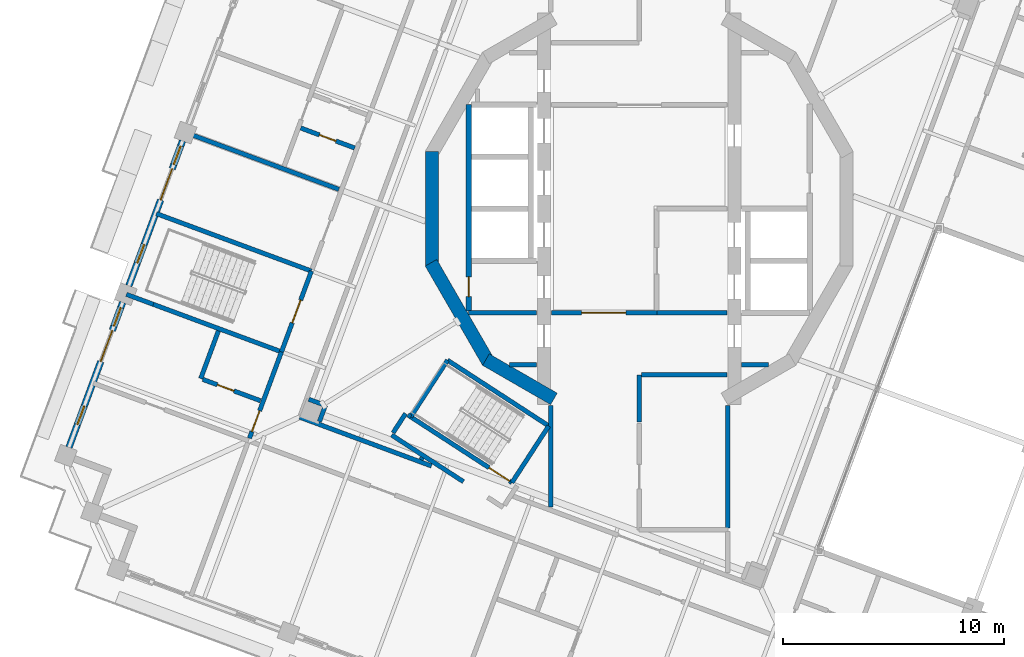
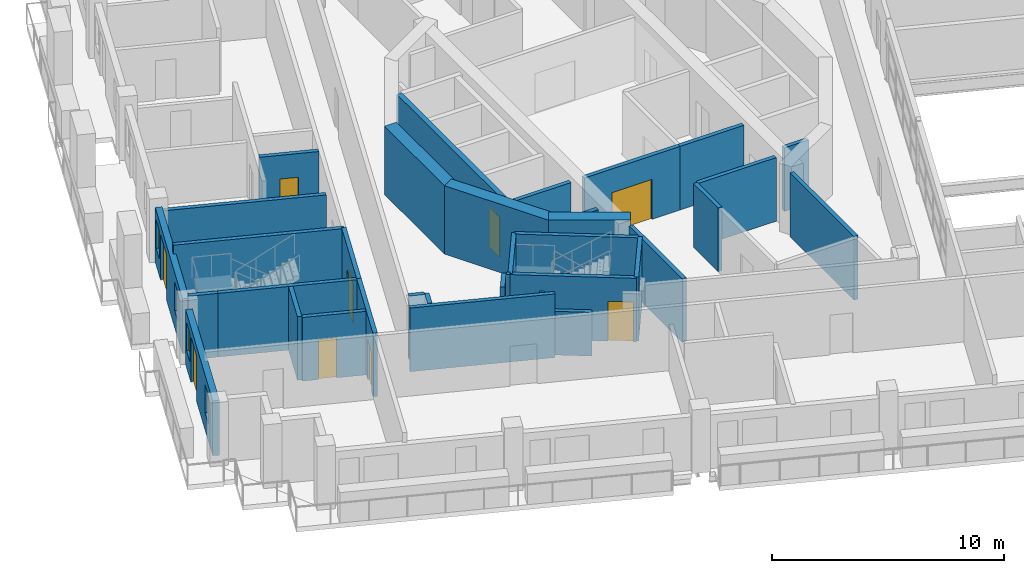
# One storey, part 6 of 19: 35 walls, 9 doors, 4 windows, 13 openings.
"""IFC4 building model written with IfcOpenShell, lengths in metres."""

from ifc_helpers import new_model, si_unit, direction, frame, frame_2d, origin, place, context, subcontext, project, spatial, rectangle, extrude, material, layer, layer_set, type_object, element, fill, save


model = new_model("IFC4")

# Units and contexts
model_context = context("Model", 3, precision=1e-05, world=origin(), true_north=direction((0.0, 1.0)))
body_context = subcontext(model_context, "Body", "Model", "MODEL_VIEW")
ifc_project = project(units=[si_unit("LENGTHUNIT", "METRE"), si_unit("AREAUNIT", "SQUARE_METRE"), si_unit("VOLUMEUNIT", "CUBIC_METRE"), si_unit("PLANEANGLEUNIT", "RADIAN"), si_unit("MASSUNIT", "GRAM", prefix="KILO")], contexts=[model_context])

# Site, building, storey
site_placement = place(None, origin())
site = spatial("IfcSite", under=ifc_project, at=site_placement, CompositionType="ELEMENT")
building_placement = place(site_placement, origin())
building = spatial("IfcBuilding", under=site, at=building_placement, Name="Cantera Rosa Tower", CompositionType="ELEMENT")
storey_placement = place(building_placement, frame((0.0, 0.0, 331.300048828125)))
storey = spatial("IfcBuildingStorey", under=building, at=storey_placement, Name="L74", CompositionType="ELEMENT", Elevation=331.300048828125)

# Wall
ifc_material_1 = material(Name="Gypsum board partition")
ifc_layer_1 = layer(ifc_material_1, 0.199951171875)
ifc_layer_set_1 = layer_set([ifc_layer_1], Name="CORRIDOR WALL 200 H2300")
wall_type_1 = type_object("IfcWallType", Name="CORRIDOR WALL 200 H2300", PredefinedType="PARTITIONING", material=ifc_layer_set_1)
wall_1_placement = place(storey_placement, frame((-11.177490234375, -10.216552734375, 0.0), z_axis=(0.0, 0.0, 1.0), x_axis=(0.83867589464, -0.544630832537, 0.0)))
element("IfcWall", 1, at=wall_1_placement, inside=storey, type_object=wall_type_1, Name="CORRIDOR WALL L74-022", PredefinedType="PARTITIONING", context=body_context, shape_type="SweptSolid", body=[
    extrude(rectangle(XDim=3.864990234375, YDim=0.199951171875, at=frame_2d((1.9326171875, 0.0))), origin(), (0.0, 0.0, 1.0), 2.300048828125),
])

# Wall, opening, door
ifc_material_2 = material(Name="Gypsum board partition")
ifc_layer_2 = layer(ifc_material_2, 0.199951171875)
ifc_layer_set_2 = layer_set([ifc_layer_2], Name="CORRIDOR WALL 200 H3350")
wall_type_2 = type_object("IfcWallType", Name="CORRIDOR WALL 200 H3350", PredefinedType="PARTITIONING", material=ifc_layer_set_2)
wall_2_placement = place(storey_placement, frame((-16.1513671875, -6.460205078125, 0.0), z_axis=(0.0, 0.0, 1.0), x_axis=(-0.34742903777, -0.937706277954, 0.0)))
wall_2 = element("IfcWall", 2, at=wall_2_placement, inside=storey, type_object=wall_type_2, Name="CORRIDOR WALL L74-010", PredefinedType="PARTITIONING", context=body_context, shape_type="SweptSolid", body=[
    extrude(rectangle(XDim=4.159912109375, YDim=0.199951171875, at=frame_2d((2.080078125, 0.0))), origin(), (0.0, 0.0, 1.0), 3.349853515625),
])
opening_1_placement = place(wall_2_placement, frame((2.840087890625, 0.0, 0.0)))
opening_1 = element("IfcOpeningElement", 3, at=opening_1_placement, cuts=wall_2, Name="Opening L74-038", PredefinedType="OPENING", context=body_context, shape_type="SweptSolid", body=[
    extrude(rectangle(XDim=1.0, YDim=2.10009765625, at=frame_2d((0.5, 1.050048828125))), frame((0.0, 0.10986328125, 0.0), z_axis=(0.0, -1.0, 0.0), x_axis=(1.0, 0.0, 0.0)), (0.0, 0.0, 1.0), 0.219970703125),
])
ifc_material_3 = material(Name="Timber door leaf", Category="wood")
door_type_1 = type_object("IfcDoorType", Name="ENTRANCE DOOR 1000x2100", OperationType="NOTDEFINED", PredefinedType="DOOR", material=ifc_material_3)
door_1_placement = place(opening_1_placement, origin())
door_1 = element("IfcDoor", 4, at=door_1_placement, inside=storey, type_object=door_type_1, Name="DOOR L74-038", OperationType="NOTDEFINED", OverallHeight=2.10009765625, OverallWidth=1.0, PredefinedType="DOOR", context=body_context, shape_type="SweptSolid", body=[
    extrude(rectangle(XDim=1.0, YDim=2.10009765625, at=frame_2d((0.5, 1.050048828125))), frame((0.0, 0.02490234375, 0.0), z_axis=(0.0, -1.0, 0.0), x_axis=(1.0, 0.0, 0.0)), (0.0, 0.0, 1.0), 0.050048828125),
])
fill(opening_1, door_1)

# Walls
wall_3_placement = place(storey_placement, frame((-15.3251953125, -9.4111328125, 0.0), z_axis=(0.0, 0.0, 1.0), x_axis=(0.937682798528, -0.347492401852, 0.0)))
element("IfcWall", 5, at=wall_3_placement, inside=storey, type_object=wall_type_2, Name="CORRIDOR WALL L74-013", PredefinedType="PARTITIONING", context=body_context, shape_type="SweptSolid", body=[
    extrude(rectangle(XDim=6.341552734375, YDim=0.199951171875, at=frame_2d((3.1708984375, 0.0))), origin(), (0.0, 0.0, 1.0), 3.349853515625),
])
wall_4_placement = place(storey_placement, frame((-10.546630859375, -9.2451171875, 0.0), z_axis=(0.0, 0.0, 1.0), x_axis=(-0.544732150362, -0.838610090782, 0.0)))
element("IfcWall", 6, at=wall_4_placement, inside=storey, type_object=wall_type_2, Name="CORRIDOR WALL L74-025", PredefinedType="PARTITIONING", context=body_context, shape_type="SweptSolid", body=[
    extrude(rectangle(XDim=1.038330078125, YDim=0.199951171875, at=frame_2d((0.51904296875, 0.0))), origin(), (0.0, 0.0, 1.0), 3.349853515625),
])
wall_5_placement = place(storey_placement, frame((-10.31591796875, -9.394775390625, 0.0), z_axis=(0.0, 0.0, 1.0), x_axis=(-0.838299581658, 0.545209878296, 0.0)))
element("IfcWall", 7, at=wall_5_placement, inside=storey, type_object=wall_type_2, Name="CORRIDOR WALL L74-026", PredefinedType="PARTITIONING", context=body_context, shape_type="SweptSolid", body=[
    extrude(rectangle(XDim=0.155029296875, YDim=0.199951171875, at=frame_2d((0.07763671875, 0.0))), origin(), (0.0, 0.0, 1.0), 3.349853515625),
])
wall_6_placement = place(storey_placement, frame((-4.0, -13.468017578125, 0.0), z_axis=(0.0, 0.0, 1.0), x_axis=(0.0, 1.0, 0.0)))
element("IfcWall", 8, at=wall_6_placement, inside=storey, type_object=wall_type_2, Name="CORRIDOR WALL L74-052", PredefinedType="PARTITIONING", context=body_context, shape_type="SweptSolid", body=[
    extrude(rectangle(XDim=4.589111328125, YDim=0.199951171875, at=frame_2d((2.29443359375, 0.0))), origin(), (0.0, 0.0, 1.0), 3.349853515625),
])
wall_7_placement = place(storey_placement, frame((0.0, -7.5, 0.0), z_axis=(0.0, 0.0, 1.0), x_axis=(0.0, -1.0, 0.0)))
element("IfcWall", 9, at=wall_7_placement, inside=storey, type_object=wall_type_2, Name="CORRIDOR WALL L74-064", PredefinedType="PARTITIONING", context=body_context, shape_type="SweptSolid", body=[
    extrude(rectangle(XDim=2.12939453125, YDim=0.199951171875, at=frame_2d((1.064697265625, 0.0))), origin(), (0.0, 0.0, 1.0), 3.349853515625),
])

# Wall, opening, door
wall_8_placement = place(storey_placement, frame((0.800048828125, -4.699951171875, 0.0), z_axis=(0.0, 0.0, 1.0), x_axis=(-1.0, 0.0, 0.0)))
wall_8 = element("IfcWall", 10, at=wall_8_placement, inside=storey, type_object=wall_type_2, Name="CORRIDOR WALL L74-069", PredefinedType="PARTITIONING", context=body_context, shape_type="SweptSolid", body=[
    extrude(rectangle(XDim=4.77001953125, YDim=0.199951171875, at=frame_2d((2.385009765625, 0.0))), origin(), (0.0, 0.0, 1.0), 3.349853515625),
])
opening_2_placement = place(wall_8_placement, frame((1.39990234375, 0.0, 0.0)))
opening_2 = element("IfcOpeningElement", 11, at=opening_2_placement, cuts=wall_8, Name="Opening L74-012", PredefinedType="OPENING", context=body_context, shape_type="SweptSolid", body=[
    extrude(rectangle(XDim=2.0, YDim=2.10009765625, at=frame_2d((1.0, 1.050048828125))), frame((0.0, 0.10986328125, 0.0), z_axis=(0.0, -1.0, 0.0), x_axis=(1.0, 0.0, 0.0)), (0.0, 0.0, 1.0), 0.219970703125),
])
ifc_material_4 = material(Name="Steel S355J2 (EN 10025-2)", Category="steel")
door_type_2 = type_object("IfcDoorType", Name="LOBBY SCREEN DOOR 2000x2100", OperationType="NOTDEFINED", PredefinedType="DOOR", material=ifc_material_4)
door_2_placement = place(opening_2_placement, origin())
door_2 = element("IfcDoor", 12, at=door_2_placement, inside=storey, type_object=door_type_2, Name="DOOR L74-012", OperationType="NOTDEFINED", OverallHeight=2.10009765625, OverallWidth=2.0, PredefinedType="DOOR", context=body_context, shape_type="SweptSolid", body=[
    extrude(rectangle(XDim=2.0, YDim=2.10009765625, at=frame_2d((1.0, 1.050048828125))), frame((0.0, 0.02490234375, 0.0), z_axis=(0.0, -1.0, 0.0), x_axis=(1.0, 0.0, 0.0)), (0.0, 0.0, 1.0), 0.050048828125),
])
fill(opening_2, door_2)

# Wall
wall_9_placement = place(storey_placement, frame((3.969970703125, -7.5, 0.0), z_axis=(0.0, 0.0, 1.0), x_axis=(-1.0, 0.0, 0.0)))
element("IfcWall", 13, at=wall_9_placement, inside=storey, type_object=wall_type_2, Name="CORRIDOR WALL L74-075", PredefinedType="PARTITIONING", context=body_context, shape_type="SweptSolid", body=[
    extrude(rectangle(XDim=3.869873046875, YDim=0.199951171875, at=frame_2d((1.93505859375, 0.0))), origin(), (0.0, 0.0, 1.0), 3.349853515625),
])

# Wall, openings, windows, door
ifc_material_5 = material(Name="Hollow clay masonry with cantera stone cladding", Category="masonry")
ifc_layer_3 = layer(ifc_material_5, 0.300048828125)
ifc_layer_set_3 = layer_set([ifc_layer_3], Name="EW-LOGGIA 300 H2890")
wall_type_3 = type_object("IfcWallType", Name="EW-LOGGIA 300 H2890", PredefinedType="SOLIDWALL", material=ifc_layer_set_3)
wall_10_placement = place(storey_placement, frame((-20.61962890625, 3.06591796875, 0.0), z_axis=(0.0, 0.0, 1.0), x_axis=(-0.347471562124, -0.937690521182, 0.0)))
wall_10 = element("IfcWall", 14, at=wall_10_placement, inside=storey, type_object=wall_type_3, Name="EN-L74-W10", PredefinedType="SOLIDWALL", context=body_context, shape_type="SweptSolid", body=[
    extrude(rectangle(XDim=6.979736328125, YDim=0.300048828125, at=frame_2d((3.48974609375, 0.0))), origin(), (0.0, 0.0, 1.0), 2.889892578125),
])
opening_3_placement = place(wall_10_placement, frame((0.2451171875, 0.0, 0.89990234375)))
opening_3 = element("IfcOpeningElement", 15, at=opening_3_placement, cuts=wall_10, Name="Opening L74-W22", PredefinedType="OPENING", context=body_context, shape_type="SweptSolid", body=[
    extrude(rectangle(XDim=0.89990234375, YDim=1.5, at=frame_2d((0.449951171875, 0.75))), frame((0.0, 0.159912109375, 0.0), z_axis=(0.0, -1.0, 0.0), x_axis=(1.0, 0.0, 0.0)), (0.0, 0.0, 1.0), 0.320068359375),
])
opening_4_placement = place(wall_10_placement, frame((1.344970703125, 0.0, 0.0)))
opening_4 = element("IfcOpeningElement", 16, at=opening_4_placement, cuts=wall_10, Name="Opening L74-TD23", PredefinedType="OPENING", context=body_context, shape_type="SweptSolid", body=[
    extrude(rectangle(XDim=1.5, YDim=2.39990234375, at=frame_2d((0.75, 1.199951171875))), frame((0.0, 0.159912109375, 0.0), z_axis=(0.0, -1.0, 0.0), x_axis=(1.0, 0.0, 0.0)), (0.0, 0.0, 1.0), 0.320068359375),
])
opening_5_placement = place(wall_10_placement, frame((4.985107421875, 0.0, 0.89990234375)))
opening_5 = element("IfcOpeningElement", 17, at=opening_5_placement, cuts=wall_10, Name="Opening L74-W24", PredefinedType="OPENING", context=body_context, shape_type="SweptSolid", body=[
    extrude(rectangle(XDim=0.89990234375, YDim=1.5, at=frame_2d((0.449951171875, 0.75))), frame((0.0, 0.159912109375, 0.0), z_axis=(0.0, -1.0, 0.0), x_axis=(1.0, 0.0, 0.0)), (0.0, 0.0, 1.0), 0.320068359375),
])
ifc_material_6 = material(Name="Aluminium frame with clear glass", Category="aluminium")
window_type = type_object("IfcWindowType", Name="Residential window 900x1500", PartitioningType="SINGLE_PANEL", PredefinedType="WINDOW", material=ifc_material_6)
window_1_placement = place(opening_3_placement, origin())
window_1 = element("IfcWindow", 18, at=window_1_placement, inside=storey, type_object=window_type, Name="WINDOW L74-W22", OverallHeight=1.5, OverallWidth=0.89990234375, PartitioningType="SINGLE_PANEL", PredefinedType="WINDOW", context=body_context, shape_type="SweptSolid", body=[
    extrude(rectangle(XDim=0.89990234375, YDim=1.5, at=frame_2d((0.449951171875, 0.75))), frame((0.0, 0.030029296875, 0.0), z_axis=(0.0, -1.0, 0.0), x_axis=(1.0, 0.0, 0.0)), (0.0, 0.0, 1.0), 0.06005859375),
])
fill(opening_3, window_1)
window_2_placement = place(opening_5_placement, origin())
window_2 = element("IfcWindow", 19, at=window_2_placement, inside=storey, type_object=window_type, Name="WINDOW L74-W24", OverallHeight=1.5, OverallWidth=0.89990234375, PartitioningType="SINGLE_PANEL", PredefinedType="WINDOW", context=body_context, shape_type="SweptSolid", body=[
    extrude(rectangle(XDim=0.89990234375, YDim=1.5, at=frame_2d((0.449951171875, 0.75))), frame((0.0, 0.030029296875, 0.0), z_axis=(0.0, -1.0, 0.0), x_axis=(1.0, 0.0, 0.0)), (0.0, 0.0, 1.0), 0.06005859375),
])
fill(opening_5, window_2)
ifc_material_7 = material(Name="Aluminium frame with clear glass", Category="aluminium")
door_type_3 = type_object("IfcDoorType", Name="TD-R 1500x2400", OperationType="NOTDEFINED", PredefinedType="DOOR", material=ifc_material_7)
door_3_placement = place(opening_4_placement, origin())
door_3 = element("IfcDoor", 20, at=door_3_placement, inside=storey, type_object=door_type_3, Name="LOGGIA DOOR L74-TD23", OperationType="SLIDING_TO_LEFT", OverallHeight=2.39990234375, OverallWidth=1.5, PredefinedType="DOOR", context=body_context, shape_type="SweptSolid", body=[
    extrude(rectangle(XDim=1.5, YDim=2.39990234375, at=frame_2d((0.75, 1.199951171875))), frame((0.0, 0.02490234375, 0.0), z_axis=(0.0, -1.0, 0.0), x_axis=(1.0, 0.0, 0.0)), (0.0, 0.0, 1.0), 0.050048828125),
])
fill(opening_4, door_3)

wall_11_placement = place(storey_placement, frame((-23.322998046875, -4.229248046875, 0.0), z_axis=(0.0, 0.0, 1.0), x_axis=(-0.347460165909, -0.937694744097, 0.0)))
wall_11 = element("IfcWall", 21, at=wall_11_placement, inside=storey, type_object=wall_type_3, Name="EN-L74-W11", PredefinedType="SOLIDWALL", context=body_context, shape_type="SweptSolid", body=[
    extrude(rectangle(XDim=6.97998046875, YDim=0.300048828125, at=frame_2d((3.489990234375, 0.0))), origin(), (0.0, 0.0, 1.0), 2.889892578125),
])
opening_6_placement = place(wall_11_placement, frame((0.2451171875, 0.0, 0.89990234375)))
opening_6 = element("IfcOpeningElement", 22, at=opening_6_placement, cuts=wall_11, Name="Opening L74-W25", PredefinedType="OPENING", context=body_context, shape_type="SweptSolid", body=[
    extrude(rectangle(XDim=0.89990234375, YDim=1.5, at=frame_2d((0.449951171875, 0.75))), frame((0.0, 0.159912109375, 0.0), z_axis=(0.0, -1.0, 0.0), x_axis=(1.0, 0.0, 0.0)), (0.0, 0.0, 1.0), 0.320068359375),
])
opening_7_placement = place(wall_11_placement, frame((1.344970703125, 0.0, 0.0)))
opening_7 = element("IfcOpeningElement", 23, at=opening_7_placement, cuts=wall_11, Name="Opening L74-TD26", PredefinedType="OPENING", context=body_context, shape_type="SweptSolid", body=[
    extrude(rectangle(XDim=1.5, YDim=2.39990234375, at=frame_2d((0.75, 1.199951171875))), frame((0.0, 0.159912109375, 0.0), z_axis=(0.0, -1.0, 0.0), x_axis=(1.0, 0.0, 0.0)), (0.0, 0.0, 1.0), 0.320068359375),
])
opening_8_placement = place(wall_11_placement, frame((4.985107421875, 0.0, 0.89990234375)))
opening_8 = element("IfcOpeningElement", 24, at=opening_8_placement, cuts=wall_11, Name="Opening L74-W27", PredefinedType="OPENING", context=body_context, shape_type="SweptSolid", body=[
    extrude(rectangle(XDim=0.89990234375, YDim=1.5, at=frame_2d((0.449951171875, 0.75))), frame((0.0, 0.159912109375, 0.0), z_axis=(0.0, -1.0, 0.0), x_axis=(1.0, 0.0, 0.0)), (0.0, 0.0, 1.0), 0.320068359375),
])
window_3_placement = place(opening_6_placement, origin())
window_3 = element("IfcWindow", 25, at=window_3_placement, inside=storey, type_object=window_type, Name="WINDOW L74-W25", OverallHeight=1.5, OverallWidth=0.89990234375, PartitioningType="SINGLE_PANEL", PredefinedType="WINDOW", context=body_context, shape_type="SweptSolid", body=[
    extrude(rectangle(XDim=0.89990234375, YDim=1.5, at=frame_2d((0.449951171875, 0.75))), frame((0.0, 0.030029296875, 0.0), z_axis=(0.0, -1.0, 0.0), x_axis=(1.0, 0.0, 0.0)), (0.0, 0.0, 1.0), 0.06005859375),
])
fill(opening_6, window_3)
window_4_placement = place(opening_8_placement, origin())
window_4 = element("IfcWindow", 26, at=window_4_placement, inside=storey, type_object=window_type, Name="WINDOW L74-W27", OverallHeight=1.5, OverallWidth=0.89990234375, PartitioningType="SINGLE_PANEL", PredefinedType="WINDOW", context=body_context, shape_type="SweptSolid", body=[
    extrude(rectangle(XDim=0.89990234375, YDim=1.5, at=frame_2d((0.449951171875, 0.75))), frame((0.0, 0.030029296875, 0.0), z_axis=(0.0, -1.0, 0.0), x_axis=(1.0, 0.0, 0.0)), (0.0, 0.0, 1.0), 0.06005859375),
])
fill(opening_8, window_4)
door_4_placement = place(opening_7_placement, origin())
door_4 = element("IfcDoor", 27, at=door_4_placement, inside=storey, type_object=door_type_3, Name="LOGGIA DOOR L74-TD26", OperationType="SLIDING_TO_LEFT", OverallHeight=2.39990234375, OverallWidth=1.5, PredefinedType="DOOR", context=body_context, shape_type="SweptSolid", body=[
    extrude(rectangle(XDim=1.5, YDim=2.39990234375, at=frame_2d((0.75, 1.199951171875))), frame((0.0, 0.02490234375, 0.0), z_axis=(0.0, -1.0, 0.0), x_axis=(1.0, 0.0, 0.0)), (0.0, 0.0, 1.0), 0.050048828125),
])
fill(opening_7, door_4)

# Wall
ifc_material_8 = material(Name="Gypsum board partition")
ifc_layer_4 = layer(ifc_material_8, 0.199951171875)
ifc_layer_set_4 = layer_set([ifc_layer_4], Name="PARTITION 200 H3350")
wall_type_4 = type_object("IfcWallType", Name="PARTITION 200 H3350", PredefinedType="PARTITIONING", material=ifc_layer_set_4)
wall_12_placement = place(storey_placement, frame((-19.79833984375, -7.668212890625, 0.0), z_axis=(0.0, 0.0, 1.0), x_axis=(0.347549446773, 0.937661656488, 0.0)))
element("IfcWall", 28, at=wall_12_placement, inside=storey, type_object=wall_type_4, Name="PARTITION L74-003", PredefinedType="PARTITIONING", context=body_context, shape_type="SweptSolid", body=[
    extrude(rectangle(XDim=2.2998046875, YDim=0.199951171875, at=frame_2d((1.14990234375, 0.0))), origin(), (0.0, 0.0, 1.0), 3.349853515625),
])

# Wall, opening, door
wall_13_placement = place(storey_placement, frame((-17.09765625, -8.6689453125, 0.0), z_axis=(0.0, 0.0, 1.0), x_axis=(-0.937714858081, 0.347405879244, 0.0)))
wall_13 = element("IfcWall", 29, at=wall_13_placement, inside=storey, type_object=wall_type_4, Name="PARTITION L74-008", PredefinedType="PARTITIONING", context=body_context, shape_type="SweptSolid", body=[
    extrude(rectangle(XDim=2.780029296875, YDim=0.199951171875, at=frame_2d((1.39013671875, 0.0))), origin(), (0.0, 0.0, 1.0), 3.349853515625),
])
opening_9_placement = place(wall_13_placement, frame((1.280029296875, 0.0, 0.0)))
opening_9 = element("IfcOpeningElement", 30, at=opening_9_placement, cuts=wall_13, Name="Opening L74-039", PredefinedType="OPENING", context=body_context, shape_type="SweptSolid", body=[
    extrude(rectangle(XDim=0.800048828125, YDim=2.10009765625, at=frame_2d((0.39990234375, 1.050048828125))), frame((0.0, 0.10986328125, 0.0), z_axis=(0.0, -1.0, 0.0), x_axis=(1.0, 0.0, 0.0)), (0.0, 0.0, 1.0), 0.219970703125),
])
ifc_material_9 = material(Name="Timber door leaf", Category="wood")
door_type_4 = type_object("IfcDoorType", Name="BATHROOM DOOR 800x2100", OperationType="NOTDEFINED", PredefinedType="DOOR", material=ifc_material_9)
door_5_placement = place(opening_9_placement, origin())
door_5 = element("IfcDoor", 31, at=door_5_placement, inside=storey, type_object=door_type_4, Name="DOOR L74-039", OperationType="NOTDEFINED", OverallHeight=2.10009765625, OverallWidth=0.800048828125, PredefinedType="DOOR", context=body_context, shape_type="SweptSolid", body=[
    extrude(rectangle(XDim=0.800048828125, YDim=2.10009765625, at=frame_2d((0.39990234375, 1.050048828125))), frame((0.0, 0.02490234375, 0.0), z_axis=(0.0, -1.0, 0.0), x_axis=(1.0, 0.0, 0.0)), (0.0, 0.0, 1.0), 0.050048828125),
])
fill(opening_9, door_5)

wall_14_placement = place(storey_placement, frame((-15.28466796875, 3.6484375, 0.0), z_axis=(0.0, 0.0, 1.0), x_axis=(0.937703444273, -0.347436685741, 0.0)))
wall_14 = element("IfcWall", 32, at=wall_14_placement, inside=storey, type_object=wall_type_4, Name="PARTITION L74-012", PredefinedType="PARTITIONING", context=body_context, shape_type="SweptSolid", body=[
    extrude(rectangle(XDim=2.599853515625, YDim=0.199951171875, at=frame_2d((1.2998046875, 0.0))), origin(), (0.0, 0.0, 1.0), 3.349853515625),
])
opening_10_placement = place(wall_14_placement, frame((0.89990234375, 0.0, 0.0)))
opening_10 = element("IfcOpeningElement", 33, at=opening_10_placement, cuts=wall_14, Name="Opening L74-029", PredefinedType="OPENING", context=body_context, shape_type="SweptSolid", body=[
    extrude(rectangle(XDim=0.800048828125, YDim=2.10009765625, at=frame_2d((0.39990234375, 1.050048828125))), frame((0.0, 0.10986328125, 0.0), z_axis=(0.0, -1.0, 0.0), x_axis=(1.0, 0.0, 0.0)), (0.0, 0.0, 1.0), 0.219970703125),
])
door_6_placement = place(opening_10_placement, origin())
door_6 = element("IfcDoor", 34, at=door_6_placement, inside=storey, type_object=door_type_4, Name="DOOR L74-029", OperationType="NOTDEFINED", OverallHeight=2.10009765625, OverallWidth=0.800048828125, PredefinedType="DOOR", context=body_context, shape_type="SweptSolid", body=[
    extrude(rectangle(XDim=0.800048828125, YDim=2.10009765625, at=frame_2d((0.39990234375, 1.050048828125))), frame((0.0, 0.02490234375, 0.0), z_axis=(0.0, -1.0, 0.0), x_axis=(1.0, 0.0, 0.0)), (0.0, 0.0, 1.0), 0.050048828125),
])
fill(opening_10, door_6)

# Walls
wall_15_placement = place(storey_placement, frame((-14.439697265625, -9.611328125, 0.0), z_axis=(0.0, 0.0, 1.0), x_axis=(0.347691457596, 0.937609007164, 0.0)))
element("IfcWall", 35, at=wall_15_placement, inside=storey, type_object=wall_type_4, Name="PARTITION L74-017", PredefinedType="PARTITIONING", context=body_context, shape_type="SweptSolid", body=[
    extrude(rectangle(XDim=0.780029296875, YDim=0.199951171875, at=frame_2d((0.39013671875, 0.0))), origin(), (0.0, 0.0, 1.0), 3.349853515625),
])
wall_16_placement = place(storey_placement, frame((-14.26220703125, -8.84521484375, 0.0), z_axis=(0.0, 0.0, 1.0), x_axis=(-0.937740347131, 0.347337071678, 0.0)))
element("IfcWall", 36, at=wall_16_placement, inside=storey, type_object=wall_type_4, Name="PARTITION L74-018", PredefinedType="PARTITIONING", context=body_context, shape_type="SweptSolid", body=[
    extrude(rectangle(XDim=0.7001953125, YDim=0.199951171875, at=frame_2d((0.35009765625, 0.0))), origin(), (0.0, 0.0, 1.0), 3.349853515625),
])
wall_17_placement = place(storey_placement, frame((-9.79931640625, -11.230224609375, 0.0), z_axis=(0.0, 0.0, 1.0), x_axis=(-0.4472135955, -0.894427191, 0.0)))
element("IfcWall", 37, at=wall_17_placement, inside=storey, type_object=wall_type_4, Name="PARTITION L74-028", PredefinedType="PARTITIONING", context=body_context, shape_type="SweptSolid", body=[
    extrude(rectangle(XDim=0.11572265625, YDim=0.199951171875, at=frame_2d((0.057861328125, 0.0))), origin(), (0.0, 0.0, 1.0), 3.349853515625),
])
wall_18_placement = place(storey_placement, frame((-7.699951171875, -4.699951171875, 0.0), z_axis=(0.0, 0.0, 1.0), x_axis=(1.0, 0.0, 0.0)))
element("IfcWall", 38, at=wall_18_placement, inside=storey, type_object=wall_type_4, Name="PARTITION L74-030", PredefinedType="PARTITIONING", context=body_context, shape_type="SweptSolid", body=[
    extrude(rectangle(XDim=3.070068359375, YDim=0.199951171875, at=frame_2d((1.53515625, 0.0))), origin(), (0.0, 0.0, 1.0), 3.349853515625),
])
wall_19_placement = place(storey_placement, frame((-4.6298828125, -7.050048828125, 0.0), z_axis=(0.0, 0.0, 1.0), x_axis=(-1.0, 0.0, 0.0)))
element("IfcWall", 39, at=wall_19_placement, inside=storey, type_object=wall_type_4, Name="PARTITION L74-048", PredefinedType="PARTITIONING", context=body_context, shape_type="SweptSolid", body=[
    extrude(rectangle(XDim=1.2177734375, YDim=0.199951171875, at=frame_2d((0.60888671875, 0.0))), origin(), (0.0, 0.0, 1.0), 3.349853515625),
])
wall_20_placement = place(storey_placement, frame((4.0, -14.419921875, 0.0), z_axis=(0.0, 0.0, 1.0), x_axis=(0.0, 1.0, 0.0)))
element("IfcWall", 40, at=wall_20_placement, inside=storey, type_object=wall_type_4, Name="PARTITION L74-078", PredefinedType="PARTITIONING", context=body_context, shape_type="SweptSolid", body=[
    extrude(rectangle(XDim=5.541015625, YDim=0.199951171875, at=frame_2d((2.7705078125, 0.0))), origin(), (0.0, 0.0, 1.0), 3.349853515625),
])
wall_21_placement = place(storey_placement, frame((5.84765625, -7.050048828125, 0.0), z_axis=(0.0, 0.0, 1.0), x_axis=(-1.0, 0.0, 0.0)))
element("IfcWall", 41, at=wall_21_placement, inside=storey, type_object=wall_type_4, Name="PARTITION L74-087", PredefinedType="PARTITIONING", context=body_context, shape_type="SweptSolid", body=[
    extrude(rectangle(XDim=1.2177734375, YDim=0.199951171875, at=frame_2d((0.60888671875, 0.0))), origin(), (0.0, 0.0, 1.0), 3.349853515625),
])
ifc_material_10 = material(Name="Gypsum board partition")
ifc_layer_5 = layer(ifc_material_10, 0.199951171875)
ifc_layer_set_5 = layer_set([ifc_layer_5], Name="PARTY WALL 200 H2450")
wall_type_5 = type_object("IfcWallType", Name="PARTY WALL 200 H2450", PredefinedType="PARTITIONING", material=ifc_layer_set_5)
wall_22_placement = place(storey_placement, frame((-13.560302734375, 0.876708984375, 0.0), z_axis=(0.0, 0.0, 1.0), x_axis=(-0.937689847803, 0.347473379308, 0.0)))
element("IfcWall", 42, at=wall_22_placement, inside=storey, type_object=wall_type_5, Name="PARTY WALL L74-019", PredefinedType="PARTITIONING", context=body_context, shape_type="SweptSolid", body=[
    extrude(rectangle(XDim=7.35009765625, YDim=0.199951171875, at=frame_2d((3.675048828125, 0.0))), origin(), (0.0, 0.0, 1.0), 2.449951171875),
])
ifc_material_11 = material(Name="Concrete C50/60", Category="concrete")
ifc_layer_6 = layer(ifc_material_11, 0.60009765625)
ifc_layer_set_6 = layer_set([ifc_layer_6], Name="RC CORE WALL 600 C50/60")
wall_type_6 = type_object("IfcWallType", Name="RC CORE WALL 600 C50/60", PredefinedType="SHEAR", material=ifc_layer_set_6)
wall_23_placement = place(storey_placement, frame((-3.85009765625, -8.584228515625, 0.0), z_axis=(0.0, 0.0, 1.0), x_axis=(-0.866039982607, 0.499974747889, 0.0)))
element("IfcWall", 43, at=wall_23_placement, inside=storey, type_object=wall_type_6, Name="CW-W1 L74", PredefinedType="SHEAR", context=body_context, shape_type="SweptSolid", body=[
    extrude(rectangle(XDim=3.546142578125, YDim=0.60009765625, at=frame_2d((1.77294921875, 0.0))), origin(), (0.0, 0.0, 1.0), 3.599853515625),
])
for number, where, z_axis, x_axis, name in (
    (44, (-6.811279296875, -6.921142578125, 0.0), (0.0, 0.0, 1.0), (-0.499989188378, 0.866031645787, 0.0), "CW-W2 L74"),
    (45, (-9.359375, -2.588134765625, 0.0), (0.0, 0.0, 1.0), (0.0, 1.0, 0.0), "CW-W3 L74"),
):
    element("IfcWall", number, at=place(storey_placement, frame(where, z_axis=z_axis, x_axis=x_axis)), inside=storey, type_object=wall_type_6, Name=name, PredefinedType="SHEAR", context=body_context, shape_type="SweptSolid", body=[
        extrude(rectangle(XDim=5.17626953125, YDim=0.60009765625, at=frame_2d((2.588134765625, 0.0))), origin(), (0.0, 0.0, 1.0), 3.599853515625),
    ])

# Wall, opening, door
ifc_material_12 = material(Name="Masonry blockwork", Category="masonry")
ifc_layer_7 = layer(ifc_material_12, 0.25)
ifc_layer_set_7 = layer_set([ifc_layer_7], Name="SHAFT WALL 250 H3350")
wall_type_7 = type_object("IfcWallType", Name="SHAFT WALL 250 H3350", PredefinedType="SOLIDWALL", material=ifc_layer_set_7)
wall_24_placement = place(storey_placement, frame((-7.699951171875, 4.699951171875, 0.0), z_axis=(0.0, 0.0, 1.0), x_axis=(0.0, -1.0, 0.0)))
wall_24 = element("IfcWall", 46, at=wall_24_placement, inside=storey, type_object=wall_type_7, Name="SHAFT WALL L74-033", PredefinedType="SOLIDWALL", context=body_context, shape_type="SweptSolid", body=[
    extrude(rectangle(XDim=9.320068359375, YDim=0.25, at=frame_2d((4.66015625, 0.0))), origin(), (0.0, 0.0, 1.0), 3.349853515625),
])
opening_11_placement = place(wall_24_placement, frame((7.7705078125, 0.0, 0.0)))
opening_11 = element("IfcOpeningElement", 47, at=opening_11_placement, cuts=wall_24, Name="Opening L74-052", PredefinedType="OPENING", context=body_context, shape_type="SweptSolid", body=[
    extrude(rectangle(XDim=0.89990234375, YDim=2.10009765625, at=frame_2d((0.449951171875, 1.050048828125))), frame((0.0, 0.135009765625, 0.0), z_axis=(0.0, -1.0, 0.0), x_axis=(1.0, 0.0, 0.0)), (0.0, 0.0, 1.0), 0.27001953125),
])
ifc_material_13 = material(Name="Timber door leaf", Category="wood")
door_type_5 = type_object("IfcDoorType", Name="SERVICE DOOR 900x2100", OperationType="NOTDEFINED", PredefinedType="DOOR", material=ifc_material_13)
door_7_placement = place(opening_11_placement, origin())
door_7 = element("IfcDoor", 48, at=door_7_placement, inside=storey, type_object=door_type_5, Name="RISER DOOR L74-052", OperationType="NOTDEFINED", OverallHeight=2.10009765625, OverallWidth=0.89990234375, PredefinedType="DOOR", context=body_context, shape_type="SweptSolid", body=[
    extrude(rectangle(XDim=0.89990234375, YDim=2.10009765625, at=frame_2d((0.449951171875, 1.050048828125))), frame((0.0, 0.02490234375, 0.0), z_axis=(0.0, -1.0, 0.0), x_axis=(1.0, 0.0, 0.0)), (0.0, 0.0, 1.0), 0.050048828125),
])
fill(opening_11, door_7)

# Wall
ifc_material_14 = material(Name="Concrete C50/60", Category="concrete")
ifc_layer_8 = layer(ifc_material_14, 0.199951171875)
ifc_layer_set_8 = layer_set([ifc_layer_8], Name="STAIR WALL 200 H3350")
wall_type_8 = type_object("IfcWallType", Name="STAIR WALL 200 H3350", PredefinedType="SOLIDWALL", material=ifc_layer_set_8)
wall_25_placement = place(storey_placement, frame((-23.15576171875, -3.864501953125, 0.0), z_axis=(0.0, 0.0, 1.0), x_axis=(0.937642248704, -0.347601802994, 0.0)))
element("IfcWall", 49, at=wall_25_placement, inside=storey, type_object=wall_type_8, Name="STAIR WALL L74-002", PredefinedType="SOLIDWALL", context=body_context, shape_type="SweptSolid", body=[
    extrude(rectangle(XDim=1.300048828125, YDim=0.199951171875, at=frame_2d((0.64990234375, 0.0))), origin(), (0.0, 0.0, 1.0), 3.349853515625),
])

# Wall, opening, door
wall_26_placement = place(storey_placement, frame((-16.1513671875, -6.460205078125, 0.0), z_axis=(0.0, 0.0, 1.0), x_axis=(0.347516717491, 0.937673787126, 0.0)))
wall_26 = element("IfcWall", 50, at=wall_26_placement, inside=storey, type_object=wall_type_8, Name="STAIR WALL L74-011", PredefinedType="SOLIDWALL", context=body_context, shape_type="SweptSolid", body=[
    extrude(rectangle(XDim=3.889892578125, YDim=0.199951171875, at=frame_2d((1.94482421875, 0.0))), origin(), (0.0, 0.0, 1.0), 3.349853515625),
])
opening_12_placement = place(wall_26_placement, frame((1.39501953125, 0.0, 0.0)))
opening_12 = element("IfcOpeningElement", 51, at=opening_12_placement, cuts=wall_26, Name="Opening L74-003", PredefinedType="OPENING", context=body_context, shape_type="SweptSolid", body=[
    extrude(rectangle(XDim=1.10009765625, YDim=2.10009765625, at=frame_2d((0.550048828125, 1.050048828125))), frame((0.0, 0.10986328125, 0.0), z_axis=(0.0, -1.0, 0.0), x_axis=(1.0, 0.0, 0.0)), (0.0, 0.0, 1.0), 0.219970703125),
])
ifc_material_15 = material(Name="Steel S355J2 (EN 10025-2)", Category="steel")
door_type_6 = type_object("IfcDoorType", Name="STAIR DOOR 1100x2100", OperationType="NOTDEFINED", PredefinedType="DOOR", material=ifc_material_15)
door_8_placement = place(opening_12_placement, origin())
door_8 = element("IfcDoor", 52, at=door_8_placement, inside=storey, type_object=door_type_6, Name="DOOR L74-003", OperationType="NOTDEFINED", OverallHeight=2.10009765625, OverallWidth=1.10009765625, PredefinedType="DOOR", context=body_context, shape_type="SweptSolid", body=[
    extrude(rectangle(XDim=1.10009765625, YDim=2.10009765625, at=frame_2d((0.550048828125, 1.050048828125))), frame((0.0, 0.02490234375, 0.0), z_axis=(0.0, -1.0, 0.0), x_axis=(1.0, 0.0, 0.0)), (0.0, 0.0, 1.0), 0.050048828125),
])
fill(opening_12, door_8)

# Walls
wall_27_placement = place(storey_placement, frame((-14.799560546875, -2.812744140625, 0.0), z_axis=(0.0, 0.0, 1.0), x_axis=(-0.93768803379, 0.347478274555, 0.0)))
element("IfcWall", 53, at=wall_27_placement, inside=storey, type_object=wall_type_8, Name="STAIR WALL L74-016", PredefinedType="SOLIDWALL", context=body_context, shape_type="SweptSolid", body=[
    extrude(rectangle(XDim=7.47021484375, YDim=0.199951171875, at=frame_2d((3.735107421875, 0.0))), origin(), (0.0, 0.0, 1.0), 3.349853515625),
])
wall_28_placement = place(storey_placement, frame((-8.65478515625, -6.8369140625, 0.0), z_axis=(0.0, 0.0, 1.0), x_axis=(-0.544647854685, -0.838664840319, 0.0)))
element("IfcWall", 54, at=wall_28_placement, inside=storey, type_object=wall_type_8, Name="STAIR WALL L74-029", PredefinedType="SOLIDWALL", context=body_context, shape_type="SweptSolid", body=[
    extrude(rectangle(XDim=3.0498046875, YDim=0.199951171875, at=frame_2d((1.52490234375, 0.0))), origin(), (0.0, 0.0, 1.0), 3.349853515625),
])

# Wall, opening, door
wall_29_placement = place(storey_placement, frame((-5.7451171875, -12.363037109375, 0.0), z_axis=(0.0, 0.0, 1.0), x_axis=(-0.838674843592, 0.544632451041, 0.0)))
wall_29 = element("IfcWall", 55, at=wall_29_placement, inside=storey, type_object=wall_type_8, Name="STAIR WALL L74-043", PredefinedType="SOLIDWALL", context=body_context, shape_type="SweptSolid", body=[
    extrude(rectangle(XDim=5.449951171875, YDim=0.199951171875, at=frame_2d((2.72509765625, 0.0))), origin(), (0.0, 0.0, 1.0), 3.349853515625),
])
opening_13_placement = place(wall_29_placement, frame((0.1298828125, 0.0, 0.0)))
opening_13 = element("IfcOpeningElement", 56, at=opening_13_placement, cuts=wall_29, Name="Opening L74-004", PredefinedType="OPENING", context=body_context, shape_type="SweptSolid", body=[
    extrude(rectangle(XDim=1.10009765625, YDim=2.10009765625, at=frame_2d((0.550048828125, 1.050048828125))), frame((0.0, 0.10986328125, 0.0), z_axis=(0.0, -1.0, 0.0), x_axis=(1.0, 0.0, 0.0)), (0.0, 0.0, 1.0), 0.219970703125),
])
door_9_placement = place(opening_13_placement, origin())
door_9 = element("IfcDoor", 57, at=door_9_placement, inside=storey, type_object=door_type_6, Name="DOOR L74-004", OperationType="NOTDEFINED", OverallHeight=2.10009765625, OverallWidth=1.10009765625, PredefinedType="DOOR", context=body_context, shape_type="SweptSolid", body=[
    extrude(rectangle(XDim=1.10009765625, YDim=2.10009765625, at=frame_2d((0.550048828125, 1.050048828125))), frame((0.0, 0.02490234375, 0.0), z_axis=(0.0, -1.0, 0.0), x_axis=(1.0, 0.0, 0.0)), (0.0, 0.0, 1.0), 0.050048828125),
])
fill(opening_13, door_9)

# Walls
wall_30_placement = place(storey_placement, frame((-4.083984375, -9.80517578125, 0.0), z_axis=(0.0, 0.0, 1.0), x_axis=(-0.838674843592, 0.544632451041, 0.0)))
element("IfcWall", 58, at=wall_30_placement, inside=storey, type_object=wall_type_8, Name="STAIR WALL L74-050", PredefinedType="SOLIDWALL", context=body_context, shape_type="SweptSolid", body=[
    extrude(rectangle(XDim=5.449951171875, YDim=0.199951171875, at=frame_2d((2.72509765625, 0.0))), origin(), (0.0, 0.0, 1.0), 3.349853515625),
])
wall_31_placement = place(storey_placement, frame((-4.083984375, -9.80517578125, 0.0), z_axis=(0.0, 0.0, 1.0), x_axis=(-0.544647854685, -0.838664840319, 0.0)))
element("IfcWall", 59, at=wall_31_placement, inside=storey, type_object=wall_type_8, Name="STAIR WALL L74-051", PredefinedType="SOLIDWALL", context=body_context, shape_type="SweptSolid", body=[
    extrude(rectangle(XDim=3.0498046875, YDim=0.199951171875, at=frame_2d((1.52490234375, 0.0))), origin(), (0.0, 0.0, 1.0), 3.349853515625),
])
wall_32_placement = place(storey_placement, frame((3.969970703125, -4.699951171875, 0.0), z_axis=(0.0, 0.0, 1.0), x_axis=(-1.0, 0.0, 0.0)))
element("IfcWall", 60, at=wall_32_placement, inside=storey, type_object=wall_type_8, Name="STAIR WALL L74-076", PredefinedType="SOLIDWALL", context=body_context, shape_type="SweptSolid", body=[
    extrude(rectangle(XDim=3.169921875, YDim=0.199951171875, at=frame_2d((1.5849609375, 0.0))), origin(), (0.0, 0.0, 1.0), 3.349853515625),
])
wall_33_placement = place(storey_placement, frame((-21.936767578125, -4.31640625, 0.0), z_axis=(0.0, 0.0, 1.0), x_axis=(0.937692901762, -0.347465137797, 0.0)))
element("IfcWall", 61, at=wall_33_placement, inside=storey, type_object=wall_type_8, Name="STAIR WALL L74-002 J", PredefinedType="SOLIDWALL", context=body_context, shape_type="SweptSolid", body=[
    extrude(rectangle(XDim=6.169921875, YDim=0.199951171875, at=frame_2d((3.0849609375, 0.0))), origin(), (0.0, 0.0, 1.0), 3.349853515625),
])

save(model, "model.ifc")
